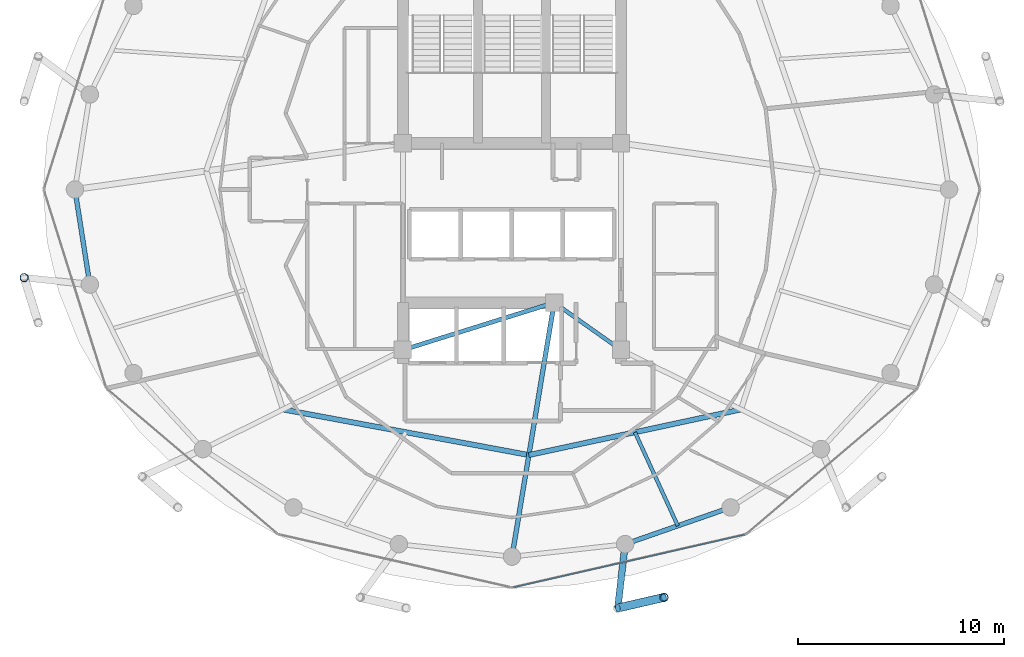
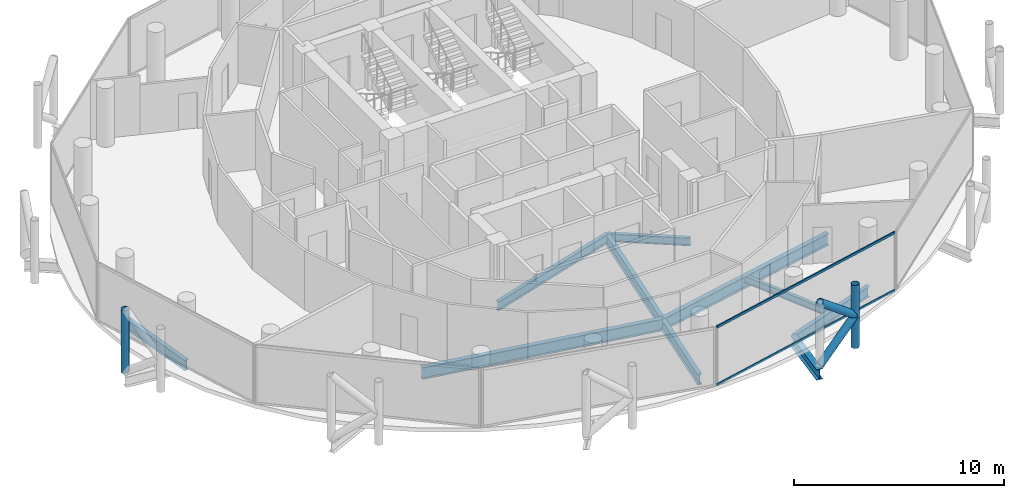
# One storey, part 6 of 27: 9 beams, 6 members, 1 element without a shape of its own.
"""IFC4 building model written with IfcOpenShell, lengths in metres."""

from ifc_helpers import new_model, si_unit, direction, frame, origin, origin_2d, place, context, subcontext, project, spatial, hollow_rectangle, hollow_circle, i_section, extrude, material, layer, layer_set, material_profile, profile_set, type_object, element, aggregate, save


model = new_model("IFC4")

# Units and contexts
model_context = context("Model", 3, precision=1e-05, world=origin(), true_north=direction((0.0, 1.0)))
body_context = subcontext(model_context, "Body", "Model", "MODEL_VIEW")
ifc_project = project(units=[si_unit("LENGTHUNIT", "METRE"), si_unit("AREAUNIT", "SQUARE_METRE"), si_unit("VOLUMEUNIT", "CUBIC_METRE"), si_unit("PLANEANGLEUNIT", "RADIAN"), si_unit("MASSUNIT", "GRAM", prefix="KILO")], contexts=[model_context])

# Site, building, storey
site_placement = place(None, origin())
site = spatial("IfcSite", under=ifc_project, at=site_placement, CompositionType="ELEMENT")
building_placement = place(site_placement, origin())
building = spatial("IfcBuilding", under=site, at=building_placement, Name="Nuhasar Tower", CompositionType="ELEMENT")
storey_placement = place(building_placement, frame((0.0, 0.0, 211.800048828125)))
storey = spatial("IfcBuildingStorey", under=building, at=storey_placement, Name="L51", CompositionType="ELEMENT", Elevation=211.800048828125)

# Beams
ifc_material_1 = material(Name="Steel S355", Category="steel")
ifc_material_profile_1 = material_profile(ifc_material_1, i_section(OverallWidth=0.25390625, OverallDepth=0.68408203125, WebThickness=0.012451171875, FlangeThickness=0.018798828125, at=origin_2d()), Name="W27X94")
ifc_profile_set_1 = profile_set([ifc_material_profile_1], Name="Steel S355")
beam_type_1 = type_object("IfcBeamType", Name="BM-INRING-W27X94", PredefinedType="BEAM", material=ifc_profile_set_1)
beam_1_placement = place(storey_placement, frame((27.864013671875, 16.10693359375, -0.58203125), z_axis=(0.983238439987, -0.182324354193, 0.0), x_axis=(0.182324354193, 0.983238439987, 0.0)))
element("IfcBeam", 1, at=beam_1_placement, inside=storey, type_object=beam_type_1, Name="L51 Inner Header Beam 01", PredefinedType="BEAM", context=body_context, shape_type="SweptSolid", body=[
    extrude(i_section(OverallWidth=0.25390625, OverallDepth=0.68408203125, WebThickness=0.012451171875, FlangeThickness=0.018798828125, at=origin_2d()), origin(), (0.0, 0.0, 1.0), 12.159912109375),
])
beam_2_placement = place(storey_placement, frame((39.820068359375, 13.889892578125, -0.58203125), z_axis=(0.977676275959, 0.210116870876, 0.0), x_axis=(-0.210116870876, 0.977676275959, 0.0)))
element("IfcBeam", 2, at=beam_2_placement, inside=storey, type_object=beam_type_1, Name="L51 Inner Header Beam 02", PredefinedType="BEAM", context=body_context, shape_type="SweptSolid", body=[
    extrude(i_section(OverallWidth=0.25390625, OverallDepth=0.68408203125, WebThickness=0.012451171875, FlangeThickness=0.018798828125, at=origin_2d()), origin(), (0.0, 0.0, 1.0), 10.551513671875),
])
ifc_material_profile_2 = material_profile(ifc_material_1, i_section(OverallWidth=0.177978515625, OverallDepth=0.406005859375, WebThickness=0.0078125, FlangeThickness=0.0126953125, at=origin_2d()), Name="W16X40")
ifc_profile_set_2 = profile_set([ifc_material_profile_2], Name="Steel S355")
beam_type_2 = type_object("IfcBeamType", Name="BM-JST-W16X40", PredefinedType="JOIST", material=ifc_profile_set_2)
beam_3_placement = place(storey_placement, frame((44.97802734375, 14.998046875, -0.443115234375), z_axis=(0.416562288184, -0.909107177434, 0.0), x_axis=(0.909107177434, 0.416562288184, 0.0)))
element("IfcBeam", 3, at=beam_3_placement, inside=storey, type_object=beam_type_2, Name="L51 Secondary Floor Joist 02", PredefinedType="JOIST", context=body_context, shape_type="SweptSolid", body=[
    extrude(i_section(OverallWidth=0.177978515625, OverallDepth=0.406005859375, WebThickness=0.0078125, FlangeThickness=0.0126953125, at=origin_2d()), origin(), (0.0, 0.0, 1.0), 5.0029296875),
])
ifc_material_profile_3 = material_profile(ifc_material_1, i_section(OverallWidth=0.18994140625, OverallDepth=0.45703125, WebThickness=0.009033203125, FlangeThickness=0.014404296875, at=origin_2d()), Name="W18X50")
ifc_profile_set_3 = profile_set([ifc_material_profile_3], Name="Steel S355")
beam_type_3 = type_object("IfcBeamType", Name="BM-RAD-W18X50", PredefinedType="BEAM", material=ifc_profile_set_3)
beam_4_placement = place(storey_placement, frame((41.050048828125, 21.300048828125, -0.468017578125), z_axis=(0.816265428953, -0.577677028708, 0.0), x_axis=(0.577677028708, 0.816265428953, 0.0)))
element("IfcBeam", 4, at=beam_4_placement, inside=storey, type_object=beam_type_3, Name="L51 Core Ring Girder 2", PredefinedType="BEAM", context=body_context, shape_type="SweptSolid", body=[
    extrude(i_section(OverallWidth=0.18994140625, OverallDepth=0.45703125, WebThickness=0.009033203125, FlangeThickness=0.014404296875, at=origin_2d()), origin(), (0.0, 0.0, 1.0), 3.9814453125),
])
ifc_material_profile_4 = material_profile(ifc_material_1, i_section(OverallWidth=0.208984375, OverallDepth=0.528076171875, WebThickness=0.009521484375, FlangeThickness=0.01318359375, at=origin_2d()), Name="W21X55")
ifc_profile_set_4 = profile_set([ifc_material_profile_4], Name="Steel S355")
beam_type_4 = type_object("IfcBeamType", Name="BM-RAD-W21X55", PredefinedType="BEAM", material=ifc_profile_set_4)
beam_5_placement = place(storey_placement, frame((33.699951171875, 19.0, -0.504150390625), z_axis=(0.954363709454, 0.298646798205, 0.0), x_axis=(-0.298646798205, 0.954363709454, 0.0)))
element("IfcBeam", 5, at=beam_5_placement, inside=storey, type_object=beam_type_4, Name="L51 Core Ring Girder 1", PredefinedType="BEAM", context=body_context, shape_type="SweptSolid", body=[
    extrude(i_section(OverallWidth=0.208984375, OverallDepth=0.528076171875, WebThickness=0.009521484375, FlangeThickness=0.01318359375, at=origin_2d()), origin(), (0.0, 0.0, 1.0), 7.70166015625),
])
ifc_material_profile_5 = material_profile(ifc_material_1, i_section(OverallWidth=0.22900390625, OverallDepth=0.612060546875, WebThickness=0.011962890625, FlangeThickness=0.01953125, at=origin_2d()), Name="W24X84")
ifc_profile_set_5 = profile_set([ifc_material_profile_5], Name="Steel S355")
beam_type_5 = type_object("IfcBeamType", Name="BM-RAD-W24X84", PredefinedType="BEAM", material=ifc_profile_set_5)
beam_6_placement = place(storey_placement, frame((41.050048828125, 21.300048828125, -0.546142578125), z_axis=(-0.163753822517, -0.98650123447, 0.0), x_axis=(0.98650123447, -0.163753822517, 0.0)))
element("IfcBeam", 6, at=beam_6_placement, inside=storey, type_object=beam_type_5, Name="L51 Radial Floor Girder 02", PredefinedType="BEAM", context=body_context, shape_type="SweptSolid", body=[
    extrude(i_section(OverallWidth=0.22900390625, OverallDepth=0.612060546875, WebThickness=0.011962890625, FlangeThickness=0.01953125, at=origin_2d()), origin(), (0.0, 0.0, 1.0), 12.51904296875),
])
ifc_material_profile_6 = material_profile(ifc_material_1, i_section(OverallWidth=0.22802734375, OverallDepth=0.60791015625, WebThickness=0.01123046875, FlangeThickness=0.017333984375, at=origin_2d()), Name="W24X76")
ifc_profile_set_6 = profile_set([ifc_material_profile_6], Name="Steel S355")
beam_type_6 = type_object("IfcBeamType", Name="BM-RING-W24X76", PredefinedType="SPANDREL", material=ifc_profile_set_6)
beam_7_placement = place(storey_placement, frame((17.75, 26.800048828125, -0.5439453125), z_axis=(0.154841886404, -0.987939264436, 0.0), x_axis=(0.987939264436, 0.154841886404, 0.0)))
element("IfcBeam", 7, at=beam_7_placement, inside=storey, type_object=beam_type_6, Name="L51 Perimeter Ring Spandrel 13", PredefinedType="SPANDREL", context=body_context, shape_type="SweptSolid", body=[
    extrude(i_section(OverallWidth=0.22802734375, OverallDepth=0.60791015625, WebThickness=0.01123046875, FlangeThickness=0.017333984375, at=origin_2d()), origin(), (0.0, 0.0, 1.0), 4.676513671875),
])
beam_8_placement = place(storey_placement, frame((44.5, 9.55810546875, -0.5439453125), z_axis=(0.944476764686, 0.328578211342, 0.0), x_axis=(-0.328578211342, 0.944476764686, 0.0)))
element("IfcBeam", 8, at=beam_8_placement, inside=storey, type_object=beam_type_6, Name="L51 Perimeter Ring Spandrel 20", PredefinedType="SPANDREL", context=body_context, shape_type="SweptSolid", body=[
    extrude(i_section(OverallWidth=0.22802734375, OverallDepth=0.60791015625, WebThickness=0.01123046875, FlangeThickness=0.017333984375, at=origin_2d()), origin(), (0.0, 0.0, 1.0), 5.42626953125),
])
ifc_material_profile_7 = material_profile(ifc_material_1, i_section(OverallWidth=0.323974609375, OverallDepth=0.611083984375, WebThickness=0.0126953125, FlangeThickness=0.01904296875, at=origin_2d()), Name="W24X104")
ifc_profile_set_7 = profile_set([ifc_material_profile_7], Name="Steel S355")
beam_type_7 = type_object("IfcBeamType", Name="BM-TIE-W24X104", PredefinedType="BEAM", material=ifc_profile_set_7)
beam_9_placement = place(storey_placement, frame((44.5, 9.55810546875, -0.545166015625), z_axis=(-0.114123371392, -0.993466585297, 0.0), x_axis=(0.993466585297, -0.114123371392, 0.0)))
element("IfcBeam", 9, at=beam_9_placement, inside=storey, type_object=beam_type_7, Name="L51 Exoskeleton Node Tie Beam 10", PredefinedType="BEAM", context=body_context, shape_type="SweptSolid", body=[
    extrude(i_section(OverallWidth=0.323974609375, OverallDepth=0.611083984375, WebThickness=0.0126953125, FlangeThickness=0.01904296875, at=origin_2d()), origin(), (0.0, 0.0, 1.0), 3.127685546875),
])

# Curtain wall, members
ifc_material_2 = material(Name="Aluminium 6063-T6", Category="aluminium")
ifc_layer = layer(ifc_material_2, 0.18994140625)
ifc_layer_set = layer_set([ifc_layer], Name="Aluminium 6063-T6")
curtain_wall_type = type_object("IfcCurtainWallType", Name="CW-Z3-RES", PredefinedType="NOTDEFINED", material=ifc_layer_set)
curtain_wall_placement = place(storey_placement, origin())
curtain_wall = element("IfcCurtainWall", 10, at=curtain_wall_placement, inside=storey, type_object=curtain_wall_type, Name="L51 Unitised Curtain Wall 10", PredefinedType="NOTDEFINED")
ifc_material_profile_8 = material_profile(ifc_material_2, hollow_rectangle(XDim=0.06494140625, YDim=0.139892578125, WallThickness=0.00439453125, at=origin_2d()), Name="CWT-4")
ifc_profile_set_8 = profile_set([ifc_material_profile_8], Name="Aluminium 6063-T6")
member_type_1 = type_object("IfcMemberType", Name="CW-TRN-S4", PredefinedType="USERDEFINED", material=ifc_profile_set_8)
member_1_placement = place(storey_placement, frame((39.0634765625, 7.454345703125, 0.032470703125), z_axis=(0.974989487479, 0.222250982686, 0.0), x_axis=(-0.222250982686, 0.974989487479, 0.0)))
member_1 = element("IfcMember", 11, at=member_1_placement, type_object=member_type_1, Name="CW-Z3 transom 1.1", ObjectType="TRANSOM", PredefinedType="USERDEFINED", context=body_context, shape_type="SweptSolid", body=[
    extrude(hollow_rectangle(XDim=0.06494140625, YDim=0.139892578125, WallThickness=0.00439453125, at=origin_2d()), origin(), (0.0, 0.0, 1.0), 11.541748046875),
])
member_2_placement = place(storey_placement, frame((39.0634765625, 7.454345703125, 3.37744140625), z_axis=(0.974989487479, 0.222250982686, 0.0), x_axis=(-0.222250982686, 0.974989487479, 0.0)))
member_2 = element("IfcMember", 12, at=member_2_placement, type_object=member_type_1, Name="CW-Z3 transom 1.2", ObjectType="TRANSOM", PredefinedType="USERDEFINED", context=body_context, shape_type="SweptSolid", body=[
    extrude(hollow_rectangle(XDim=0.06494140625, YDim=0.139892578125, WallThickness=0.00439453125, at=origin_2d()), origin(), (0.0, 0.0, 1.0), 11.541748046875),
])
aggregate(curtain_wall, [member_1, member_2])

# Members
ifc_material_3 = material(Name="Steel S460", Category="steel")
ifc_material_profile_9 = material_profile(ifc_material_3, hollow_circle(Radius=0.203125, WallThickness=0.01904296875, at=origin_2d()), Name="HSS406.4X19.1")
ifc_profile_set_9 = profile_set([ifc_material_profile_9], Name="Steel S460")
member_type_2 = type_object("IfcMemberType", Name="EXO-BRONZE-406", PredefinedType="BRACE", material=ifc_profile_set_9)
for number, where, z_axis, x_axis, name in (
    (13, (15.281982421875, 22.513916015625, 0.0), (0.0, 0.0, 1.0), (1.0, 0.0, 0.0), "L51 Exoskeleton Chord Column EC-07A"),
    (14, (46.384033203125, 6.967041015625, 0.0), (0.0, 0.0, 1.0), (1.0, 0.0, 0.0), "L51 Exoskeleton Chord Column EC-10B"),
):
    element("IfcMember", number, at=place(storey_placement, frame(where, z_axis=z_axis, x_axis=x_axis)), inside=storey, type_object=member_type_2, Name=name, PredefinedType="BRACE", context=body_context, shape_type="SweptSolid", body=[
        extrude(hollow_circle(Radius=0.203125, WallThickness=0.01904296875, at=origin_2d()), origin(), (0.0, 0.0, 1.0), 3.64990234375),
    ])
for number, where, z_axis, x_axis, name in (
    (15, (44.14306640625, 6.450927734375, 0.0), (0.76333158458, 0.175801609086, 0.621625841021), (-0.224433035437, 0.97448951385, 0.0), "L51 Bronze Diagrid Brace W1-10"),
    (16, (46.384033203125, 6.967041015625, 1.824951171875), (-0.76333158458, -0.175801609086, 0.621625841021), (0.224433035437, -0.97448951385, 0.0), "L51 Bronze Diagrid Brace W2-10"),
):
    element("IfcMember", number, at=place(storey_placement, frame(where, z_axis=z_axis, x_axis=x_axis)), inside=storey, type_object=member_type_2, Name=name, PredefinedType="BRACE", context=body_context, shape_type="SweptSolid", body=[
        extrude(hollow_circle(Radius=0.203125, WallThickness=0.01904296875, at=origin_2d()), origin(), (0.0, 0.0, 1.0), 2.935791015625),
    ])

save(model, "model.ifc")
